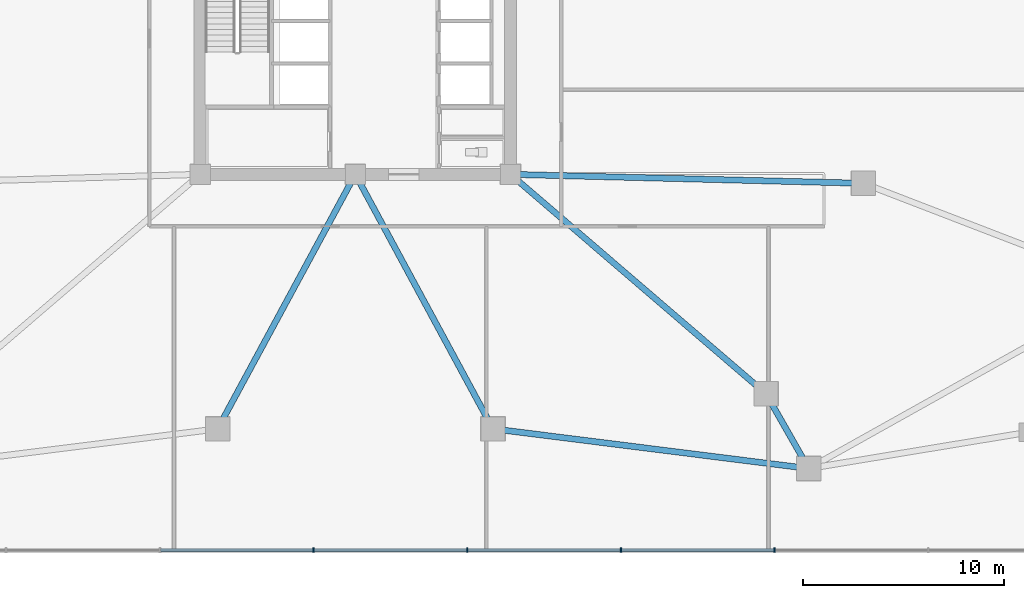
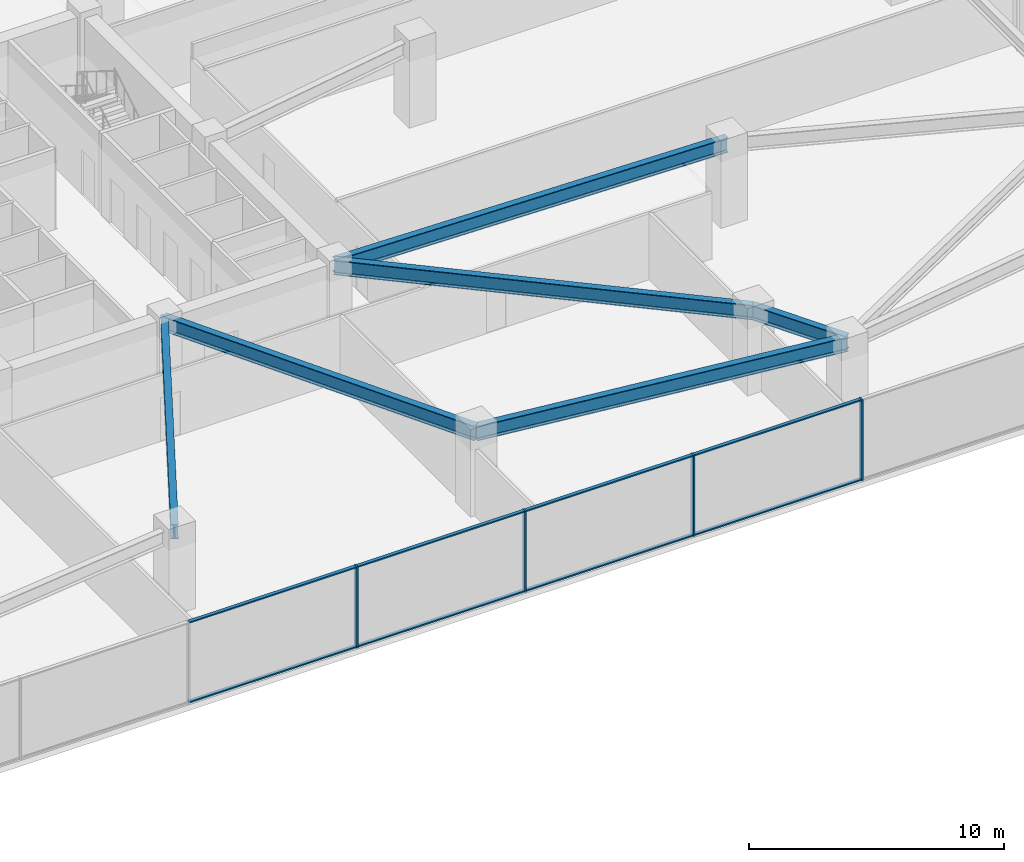
# One storey, part 4 of 22: 12 members, 6 beams, 1 element without a shape of its own.
"""IFC4 building model written with IfcOpenShell, lengths in metres."""

from ifc_helpers import new_model, si_unit, direction, frame, origin, origin_2d, place, context, subcontext, project, spatial, rectangle, i_section, extrude, material, material_profile, profile_set, type_object, element, aggregate, save


model = new_model("IFC4")

# Units and contexts
model_context = context("Model", 3, precision=1e-05, world=origin(), true_north=direction((0.0, 1.0)))
body_context = subcontext(model_context, "Body", "Model", "MODEL_VIEW")
ifc_project = project(units=[si_unit("LENGTHUNIT", "METRE"), si_unit("AREAUNIT", "SQUARE_METRE"), si_unit("VOLUMEUNIT", "CUBIC_METRE"), si_unit("PLANEANGLEUNIT", "RADIAN"), si_unit("MASSUNIT", "GRAM", prefix="KILO")], contexts=[model_context])

# Site, building, storey
site_placement = place(None, origin())
site = spatial("IfcSite", under=ifc_project, at=site_placement, CompositionType="ELEMENT")
building_placement = place(site_placement, origin())
building = spatial("IfcBuilding", under=site, at=building_placement, Name="Savorim Split Tower", CompositionType="ELEMENT")
storey_placement = place(building_placement, frame((0.0, 0.0, 17.60009765625)))
storey = spatial("IfcBuildingStorey", under=building, at=storey_placement, Name="L04", CompositionType="ELEMENT", Elevation=17.60009765625)

# Beams
ifc_material_1 = material(Name="Steel S355", Category="steel")
ifc_material_profile_1 = material_profile(ifc_material_1, i_section(OverallWidth=0.300048828125, OverallDepth=0.699951171875, WebThickness=0.01708984375, FlangeThickness=0.031982421875, FilletRadius=0.027099609375, at=origin_2d()), Name="HEB 700")
ifc_profile_set_1 = profile_set([ifc_material_profile_1], Name="Steel S355")
beam_type = type_object("IfcBeamType", Name="BM-PRI-HEB700", PredefinedType="BEAM", material=ifc_profile_set_1)
beam_1_placement = place(storey_placement, frame((22.5, -24.0, 3.52978515625), z_axis=(-0.992201816191, 0.124641710303, 0.0), x_axis=(-0.124641710303, -0.992201816191, 0.0)))
element("IfcBeam", 1, at=beam_1_placement, inside=storey, type_object=beam_type, Name="L04 Podium Primary Girder BG-03", PredefinedType="BEAM", context=body_context, shape_type="SweptSolid", body=[
    extrude(i_section(OverallWidth=0.300048828125, OverallDepth=0.699951171875, WebThickness=0.01708984375, FlangeThickness=0.031982421875, FilletRadius=0.027099609375, at=origin_2d()), origin(), (0.0, 0.0, 1.0), 15.791259765625),
])
beam_2_placement = place(storey_placement, frame((22.5, -24.0, 3.52978515625), z_axis=(-0.495603085314, 0.868549124591, 0.0), x_axis=(-0.868549124591, -0.495603085314, 0.0)))
element("IfcBeam", 2, at=beam_2_placement, inside=storey, type_object=beam_type, Name="L04 Podium Primary Girder BG-04", PredefinedType="BEAM", context=body_context, shape_type="SweptSolid", body=[
    extrude(i_section(OverallWidth=0.300048828125, OverallDepth=0.699951171875, WebThickness=0.01708984375, FlangeThickness=0.031982421875, FilletRadius=0.027099609375, at=origin_2d()), origin(), (0.0, 0.0, 1.0), 4.26953125),
])
for number, where, z_axis, x_axis, name in (
    (3, (-6.831787109375, -22.03173828125, 3.52978515625), (0.47572005496, 0.879596742438, 0.0), (-0.879596742438, 0.47572005496, 0.0), "L04 Podium Primary Girder BG-23"),
    (4, (6.831787109375, -22.03173828125, 3.52978515625), (-0.47572005496, 0.879596742438, 0.0), (-0.879596742438, -0.47572005496, 0.0), "L04 Podium Primary Girder BG-24"),
):
    element("IfcBeam", number, at=place(storey_placement, frame(where, z_axis=z_axis, x_axis=x_axis)), inside=storey, type_object=beam_type, Name=name, PredefinedType="BEAM", context=body_context, shape_type="SweptSolid", body=[
        extrude(i_section(OverallWidth=0.300048828125, OverallDepth=0.699951171875, WebThickness=0.01708984375, FlangeThickness=0.031982421875, FilletRadius=0.027099609375, at=origin_2d()), origin(), (0.0, 0.0, 1.0), 14.36083984375),
    ])
beam_3_placement = place(storey_placement, frame((20.384033203125, -20.291748046875, 3.52978515625), z_axis=(-0.758671842154, 0.651472974054, 0.0), x_axis=(-0.651472974054, -0.758671842154, 0.0)))
element("IfcBeam", 5, at=beam_3_placement, inside=storey, type_object=beam_type, Name="L04 Podium Primary Girder BG-25", PredefinedType="BEAM", context=body_context, shape_type="SweptSolid", body=[
    extrude(i_section(OverallWidth=0.300048828125, OverallDepth=0.699951171875, WebThickness=0.01708984375, FlangeThickness=0.031982421875, FilletRadius=0.027099609375, at=origin_2d()), origin(), (0.0, 0.0, 1.0), 16.71875),
])
beam_4_placement = place(storey_placement, frame((25.21337890625, -9.845458984375, 3.52978515625), z_axis=(-0.999676538363, 0.025432629574, 0.0), x_axis=(-0.025432629574, -0.999676538363, 0.0)))
element("IfcBeam", 6, at=beam_4_placement, inside=storey, type_object=beam_type, Name="L04 Podium Primary Girder BG-26", PredefinedType="BEAM", context=body_context, shape_type="SweptSolid", body=[
    extrude(i_section(OverallWidth=0.300048828125, OverallDepth=0.699951171875, WebThickness=0.01708984375, FlangeThickness=0.031982421875, FilletRadius=0.027099609375, at=origin_2d()), origin(), (0.0, 0.0, 1.0), 17.51904296875),
])

# Curtain wall, members
ifc_material_2 = material(Name="Dark Ceramic-Fritted Insulated Glass", Category="glass")
curtain_wall_type = type_object("IfcCurtainWallType", Name="CW-POD-GLZ", PredefinedType="NOTDEFINED", material=ifc_material_2)
curtain_wall_placement = place(storey_placement, origin())
curtain_wall = element("IfcCurtainWall", 7, at=curtain_wall_placement, inside=storey, type_object=curtain_wall_type, Name="L04 Curtain Wall CW-L04-E04", PredefinedType="NOTDEFINED")
ifc_material_3 = material(Name="Charcoal Anodised Aluminium", Category="aluminium")
ifc_material_profile_2 = material_profile(ifc_material_3, rectangle(XDim=0.219970703125, YDim=0.070068359375, at=origin_2d()), Name="ALU-M 220x70")
ifc_profile_set_2 = profile_set([ifc_material_profile_2], Name="Charcoal Anodised Aluminium")
member_type_1 = type_object("IfcMemberType", Name="CWM-220x70", PredefinedType="MULLION", material=ifc_profile_set_2)
member_1_placement = place(storey_placement, frame((-2.074462890625, -28.0400390625, 0.0), z_axis=(0.0, 0.0, 1.0), x_axis=(0.0, 1.0, 0.0)))
member_1 = element("IfcMember", 8, at=member_1_placement, type_object=member_type_1, Name="CW-01 mullion 4", PredefinedType="MULLION", context=body_context, shape_type="SweptSolid", body=[
    extrude(rectangle(XDim=0.219970703125, YDim=0.070068359375, at=origin_2d()), origin(), (0.0, 0.0, 1.0), 3.8798828125),
])
member_2_placement = place(storey_placement, frame((5.552490234375, -28.0400390625, 0.0), z_axis=(0.0, 0.0, 1.0), x_axis=(0.0, 1.0, 0.0)))
member_2 = element("IfcMember", 9, at=member_2_placement, type_object=member_type_1, Name="CW-01 mullion 5", PredefinedType="MULLION", context=body_context, shape_type="SweptSolid", body=[
    extrude(rectangle(XDim=0.219970703125, YDim=0.070068359375, at=origin_2d()), origin(), (0.0, 0.0, 1.0), 3.8798828125),
])
member_3_placement = place(storey_placement, frame((13.179443359375, -28.0400390625, 0.0), z_axis=(0.0, 0.0, 1.0), x_axis=(0.0, 1.0, 0.0)))
member_3 = element("IfcMember", 10, at=member_3_placement, type_object=member_type_1, Name="CW-01 mullion 6", PredefinedType="MULLION", context=body_context, shape_type="SweptSolid", body=[
    extrude(rectangle(XDim=0.219970703125, YDim=0.070068359375, at=origin_2d()), origin(), (0.0, 0.0, 1.0), 3.8798828125),
])
member_4_placement = place(storey_placement, frame((20.80615234375, -28.0400390625, 0.0), z_axis=(0.0, 0.0, 1.0), x_axis=(0.0, 1.0, 0.0)))
member_4 = element("IfcMember", 11, at=member_4_placement, type_object=member_type_1, Name="CW-01 mullion 7", PredefinedType="MULLION", context=body_context, shape_type="SweptSolid", body=[
    extrude(rectangle(XDim=0.219970703125, YDim=0.070068359375, at=origin_2d()), origin(), (0.0, 0.0, 1.0), 3.8798828125),
])
ifc_material_profile_3 = material_profile(ifc_material_3, rectangle(XDim=0.159912109375, YDim=0.06005859375, at=origin_2d()), Name="ALU-T 160x60")
ifc_profile_set_3 = profile_set([ifc_material_profile_3], Name="Charcoal Anodised Aluminium")
member_type_2 = type_object("IfcMemberType", Name="CWT-160x60", PredefinedType="USERDEFINED", material=ifc_profile_set_3)
member_5_placement = place(storey_placement, frame((-9.666259765625, -28.0400390625, 0.02978515625), z_axis=(1.0, 0.0, 0.0), x_axis=(0.0, 1.0, 0.0)))
member_5 = element("IfcMember", 12, at=member_5_placement, type_object=member_type_2, Name="CW-01 transom 3.1", ObjectType="TRANSOM", PredefinedType="USERDEFINED", context=body_context, shape_type="SweptSolid", body=[
    extrude(rectangle(XDim=0.159912109375, YDim=0.06005859375, at=origin_2d()), origin(), (0.0, 0.0, 1.0), 7.556884765625),
])
member_6_placement = place(storey_placement, frame((-9.666259765625, -28.0400390625, 3.849853515625), z_axis=(1.0, 0.0, 0.0), x_axis=(0.0, 1.0, 0.0)))
member_6 = element("IfcMember", 13, at=member_6_placement, type_object=member_type_2, Name="CW-01 transom 3.2", ObjectType="TRANSOM", PredefinedType="USERDEFINED", context=body_context, shape_type="SweptSolid", body=[
    extrude(rectangle(XDim=0.159912109375, YDim=0.06005859375, at=origin_2d()), origin(), (0.0, 0.0, 1.0), 7.556884765625),
])
member_7_placement = place(storey_placement, frame((-2.039306640625, -28.0400390625, 0.02978515625), z_axis=(1.0, 0.0, 0.0), x_axis=(0.0, 1.0, 0.0)))
member_7 = element("IfcMember", 14, at=member_7_placement, type_object=member_type_2, Name="CW-01 transom 4.1", ObjectType="TRANSOM", PredefinedType="USERDEFINED", context=body_context, shape_type="SweptSolid", body=[
    extrude(rectangle(XDim=0.159912109375, YDim=0.06005859375, at=origin_2d()), origin(), (0.0, 0.0, 1.0), 7.556884765625),
])
member_8_placement = place(storey_placement, frame((-2.039306640625, -28.0400390625, 3.849853515625), z_axis=(1.0, 0.0, 0.0), x_axis=(0.0, 1.0, 0.0)))
member_8 = element("IfcMember", 15, at=member_8_placement, type_object=member_type_2, Name="CW-01 transom 4.2", ObjectType="TRANSOM", PredefinedType="USERDEFINED", context=body_context, shape_type="SweptSolid", body=[
    extrude(rectangle(XDim=0.159912109375, YDim=0.06005859375, at=origin_2d()), origin(), (0.0, 0.0, 1.0), 7.556884765625),
])
member_9_placement = place(storey_placement, frame((5.58740234375, -28.0400390625, 0.02978515625), z_axis=(1.0, 0.0, 0.0), x_axis=(0.0, 1.0, 0.0)))
member_9 = element("IfcMember", 16, at=member_9_placement, type_object=member_type_2, Name="CW-01 transom 5.1", ObjectType="TRANSOM", PredefinedType="USERDEFINED", context=body_context, shape_type="SweptSolid", body=[
    extrude(rectangle(XDim=0.159912109375, YDim=0.06005859375, at=origin_2d()), origin(), (0.0, 0.0, 1.0), 7.556884765625),
])
member_10_placement = place(storey_placement, frame((5.58740234375, -28.0400390625, 3.849853515625), z_axis=(1.0, 0.0, 0.0), x_axis=(0.0, 1.0, 0.0)))
member_10 = element("IfcMember", 17, at=member_10_placement, type_object=member_type_2, Name="CW-01 transom 5.2", ObjectType="TRANSOM", PredefinedType="USERDEFINED", context=body_context, shape_type="SweptSolid", body=[
    extrude(rectangle(XDim=0.159912109375, YDim=0.06005859375, at=origin_2d()), origin(), (0.0, 0.0, 1.0), 7.556884765625),
])
member_11_placement = place(storey_placement, frame((13.21435546875, -28.0400390625, 0.02978515625), z_axis=(1.0, 0.0, 0.0), x_axis=(0.0, 1.0, 0.0)))
member_11 = element("IfcMember", 18, at=member_11_placement, type_object=member_type_2, Name="CW-01 transom 6.1", ObjectType="TRANSOM", PredefinedType="USERDEFINED", context=body_context, shape_type="SweptSolid", body=[
    extrude(rectangle(XDim=0.159912109375, YDim=0.06005859375, at=origin_2d()), origin(), (0.0, 0.0, 1.0), 7.556884765625),
])
member_12_placement = place(storey_placement, frame((13.21435546875, -28.0400390625, 3.849853515625), z_axis=(1.0, 0.0, 0.0), x_axis=(0.0, 1.0, 0.0)))
member_12 = element("IfcMember", 19, at=member_12_placement, type_object=member_type_2, Name="CW-01 transom 6.2", ObjectType="TRANSOM", PredefinedType="USERDEFINED", context=body_context, shape_type="SweptSolid", body=[
    extrude(rectangle(XDim=0.159912109375, YDim=0.06005859375, at=origin_2d()), origin(), (0.0, 0.0, 1.0), 7.556884765625),
])
aggregate(curtain_wall, [member_1, member_2, member_3, member_4, member_5, member_6, member_7, member_8, member_9, member_10, member_11, member_12])

save(model, "model.ifc")
